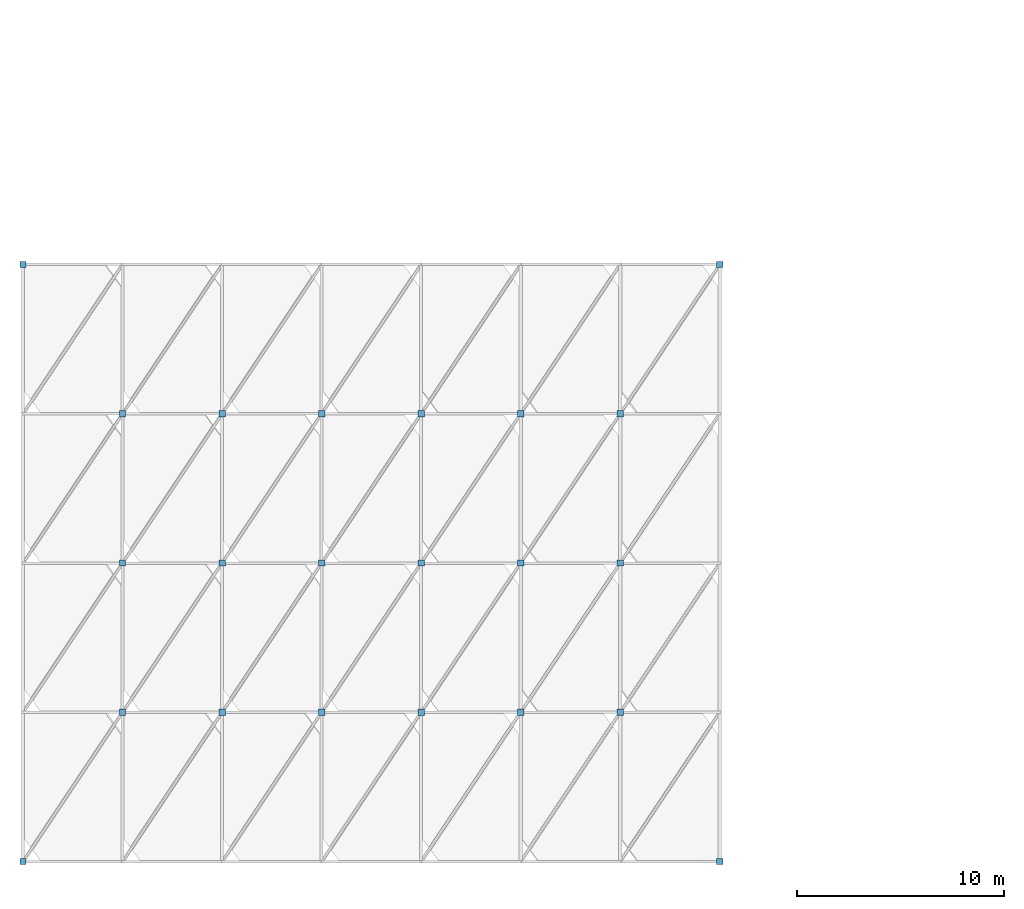
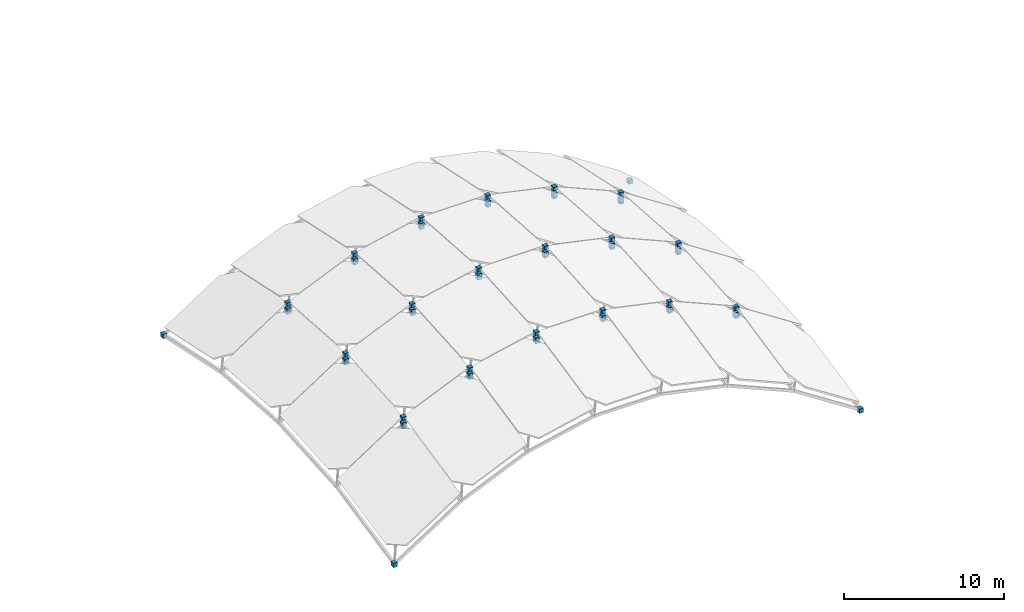
# One storey, part 8 of 9: 58 plates.
"""IFC4 building model written with IfcOpenShell, lengths in metres."""

from ifc_helpers import new_model, si_unit, direction, frame, origin, origin_2d, place, context, subcontext, project, spatial, rectangle, extrude, material, layer, layer_set, type_object, element, save


model = new_model("IFC4")

# Units and contexts
model_context = context("Model", 3, precision=1e-05, world=origin(), true_north=direction((0.0, 1.0)))
body_context = subcontext(model_context, "Body", "Model", "MODEL_VIEW")
ifc_project = project(units=[si_unit("LENGTHUNIT", "METRE"), si_unit("AREAUNIT", "SQUARE_METRE"), si_unit("VOLUMEUNIT", "CUBIC_METRE"), si_unit("PLANEANGLEUNIT", "RADIAN"), si_unit("MASSUNIT", "GRAM", prefix="KILO")], contexts=[model_context])

# Site, building, storey
site_placement = place(None, origin())
site = spatial("IfcSite", under=ifc_project, at=site_placement, CompositionType="ELEMENT")
building_placement = place(site_placement, origin())
building = spatial("IfcBuilding", under=site, at=building_placement, Name="Kahlenmark Community Centre", CompositionType="ELEMENT")
storey_placement = place(building_placement, frame((0.0, 0.0, 25.199951171875)))
storey = spatial("IfcBuildingStorey", under=building, at=storey_placement, Name="RF", CompositionType="ELEMENT", Elevation=25.199951171875)

# Plates
ifc_material = material(Name="Steel S355", Category="steel")
ifc_layer_1 = layer(ifc_material, 0.02392578125)
ifc_layer_set_1 = layer_set([ifc_layer_1], Name="Steel S355")
plate_type_1 = type_object("IfcPlateType", Name="PT-NODE-GN-01-30X30X33", PredefinedType="USERDEFINED", material=ifc_layer_set_1)
for number, where, z_axis, x_axis, name in (
    (1, (12.39990234375, 8.800048828125, -7.364990234375), (0.0, 0.0, 1.0), (1.0, 0.0, 0.0), "Steel hollow-node cap plate 0037"),
    (2, (12.39990234375, 37.60009765625, -7.364990234375), (0.0, 0.0, 1.0), (1.0, 0.0, 0.0), "Steel hollow-node cap plate 0038"),
    (3, (17.199951171875, 16.0, -2.71435546875), (0.0, 0.0, 1.0), (1.0, 0.0, 0.0), "Steel hollow-node cap plate 0039"),
    (4, (17.199951171875, 23.199951171875, -2.21337890625), (0.0, 0.0, 1.0), (1.0, 0.0, 0.0), "Steel hollow-node cap plate 0040"),
    (5, (17.199951171875, 30.39990234375, -2.71435546875), (0.0, 0.0, 1.0), (1.0, 0.0, 0.0), "Steel hollow-node cap plate 0041"),
    (6, (22.0, 16.0, -0.635498046875), (0.0, 0.0, 1.0), (1.0, 0.0, 0.0), "Steel hollow-node cap plate 0042"),
    (7, (22.0, 23.199951171875, -0.134765625), (0.0, 0.0, 1.0), (1.0, 0.0, 0.0), "Steel hollow-node cap plate 0043"),
    (8, (22.0, 30.39990234375, -0.635498046875), (0.0, 0.0, 1.0), (1.0, 0.0, 0.0), "Steel hollow-node cap plate 0044"),
    (9, (26.800048828125, 16.0, 0.40380859375), (0.0, 0.0, 1.0), (1.0, 0.0, 0.0), "Steel hollow-node cap plate 0045"),
    (10, (26.800048828125, 23.199951171875, 0.904541015625), (0.0, 0.0, 1.0), (1.0, 0.0, 0.0), "Steel hollow-node cap plate 0046"),
    (11, (26.800048828125, 30.39990234375, 0.40380859375), (0.0, 0.0, 1.0), (1.0, 0.0, 0.0), "Steel hollow-node cap plate 0047"),
    (12, (31.60009765625, 16.0, 0.40380859375), (0.0, 0.0, 1.0), (1.0, 0.0, 0.0), "Steel hollow-node cap plate 0048"),
    (13, (31.60009765625, 23.199951171875, 0.904541015625), (0.0, 0.0, 1.0), (1.0, 0.0, 0.0), "Steel hollow-node cap plate 0049"),
    (14, (31.60009765625, 30.39990234375, 0.40380859375), (0.0, 0.0, 1.0), (1.0, 0.0, 0.0), "Steel hollow-node cap plate 0050"),
    (15, (36.39990234375, 16.0, -0.635498046875), (0.0, 0.0, 1.0), (1.0, 0.0, 0.0), "Steel hollow-node cap plate 0051"),
    (16, (36.39990234375, 23.199951171875, -0.134765625), (0.0, 0.0, 1.0), (1.0, 0.0, 0.0), "Steel hollow-node cap plate 0052"),
    (17, (36.39990234375, 30.39990234375, -0.635498046875), (0.0, 0.0, 1.0), (1.0, 0.0, 0.0), "Steel hollow-node cap plate 0053"),
    (18, (41.199951171875, 16.0, -2.71435546875), (0.0, 0.0, 1.0), (1.0, 0.0, 0.0), "Steel hollow-node cap plate 0054"),
    (19, (41.199951171875, 23.199951171875, -2.21337890625), (0.0, 0.0, 1.0), (1.0, 0.0, 0.0), "Steel hollow-node cap plate 0055"),
    (20, (41.199951171875, 30.39990234375, -2.71435546875), (0.0, 0.0, 1.0), (1.0, 0.0, 0.0), "Steel hollow-node cap plate 0056"),
    (21, (46.0, 8.800048828125, -7.364990234375), (0.0, 0.0, 1.0), (1.0, 0.0, 0.0), "Steel hollow-node cap plate 0057"),
    (22, (46.0, 37.60009765625, -7.364990234375), (0.0, 0.0, 1.0), (1.0, 0.0, 0.0), "Steel hollow-node cap plate 0058"),
):
    element("IfcPlate", number, at=place(storey_placement, frame(where, z_axis=z_axis, x_axis=x_axis)), inside=storey, type_object=plate_type_1, Name=name, ObjectType="STIFFENER_PLATE", PredefinedType="USERDEFINED", context=body_context, shape_type="SweptSolid", body=[
        extrude(rectangle(XDim=0.300048828125, YDim=0.300048828125, at=origin_2d()), origin(), (0.0, 0.0, 1.0), 0.330078125),
    ])
ifc_layer_2 = layer(ifc_material, 0.02392578125)
ifc_layer_set_2 = layer_set([ifc_layer_2], Name="Steel S355")
plate_type_2 = type_object("IfcPlateType", Name="PT-NODE-GN-04-30X30X28", PredefinedType="USERDEFINED", material=ifc_layer_set_2)
for number, where, z_axis, x_axis, name in (
    (23, (17.199951171875, 16.0, -2.83935546875), (0.0, 0.0, 1.0), (1.0, 0.0, 0.0), "Steel hollow-node cap plate 0059"),
    (24, (17.199951171875, 16.0, -2.2294921875), (0.0, 0.0, 1.0), (1.0, 0.0, 0.0), "Steel hollow-node cap plate 0060"),
    (25, (17.199951171875, 23.199951171875, -2.33837890625), (0.0, 0.0, 1.0), (1.0, 0.0, 0.0), "Steel hollow-node cap plate 0061"),
    (26, (17.199951171875, 23.199951171875, -1.728515625), (0.0, 0.0, 1.0), (1.0, 0.0, 0.0), "Steel hollow-node cap plate 0062"),
    (27, (17.199951171875, 30.39990234375, -2.83935546875), (0.0, 0.0, 1.0), (1.0, 0.0, 0.0), "Steel hollow-node cap plate 0063"),
    (28, (17.199951171875, 30.39990234375, -2.2294921875), (0.0, 0.0, 1.0), (1.0, 0.0, 0.0), "Steel hollow-node cap plate 0064"),
    (29, (22.0, 16.0, -0.7607421875), (0.0, 0.0, 1.0), (1.0, 0.0, 0.0), "Steel hollow-node cap plate 0065"),
    (30, (22.0, 16.0, -0.150390625), (0.0, 0.0, 1.0), (1.0, 0.0, 0.0), "Steel hollow-node cap plate 0066"),
    (31, (22.0, 23.199951171875, -0.259765625), (0.0, 0.0, 1.0), (1.0, 0.0, 0.0), "Steel hollow-node cap plate 0067"),
    (32, (22.0, 23.199951171875, 0.35009765625), (0.0, 0.0, 1.0), (1.0, 0.0, 0.0), "Steel hollow-node cap plate 0068"),
    (33, (22.0, 30.39990234375, -0.7607421875), (0.0, 0.0, 1.0), (1.0, 0.0, 0.0), "Steel hollow-node cap plate 0069"),
    (34, (22.0, 30.39990234375, -0.150390625), (0.0, 0.0, 1.0), (1.0, 0.0, 0.0), "Steel hollow-node cap plate 0070"),
    (35, (26.800048828125, 16.0, 0.27880859375), (0.0, 0.0, 1.0), (1.0, 0.0, 0.0), "Steel hollow-node cap plate 0071"),
    (36, (26.800048828125, 16.0, 0.888671875), (0.0, 0.0, 1.0), (1.0, 0.0, 0.0), "Steel hollow-node cap plate 0072"),
    (37, (26.800048828125, 23.199951171875, 0.77978515625), (0.0, 0.0, 1.0), (1.0, 0.0, 0.0), "Steel hollow-node cap plate 0073"),
    (38, (26.800048828125, 23.199951171875, 1.3896484375), (0.0, 0.0, 1.0), (1.0, 0.0, 0.0), "Steel hollow-node cap plate 0074"),
    (39, (26.800048828125, 30.39990234375, 0.27880859375), (0.0, 0.0, 1.0), (1.0, 0.0, 0.0), "Steel hollow-node cap plate 0075"),
    (40, (26.800048828125, 30.39990234375, 0.888671875), (0.0, 0.0, 1.0), (1.0, 0.0, 0.0), "Steel hollow-node cap plate 0076"),
    (41, (31.60009765625, 16.0, 0.27880859375), (0.0, 0.0, 1.0), (1.0, 0.0, 0.0), "Steel hollow-node cap plate 0077"),
    (42, (31.60009765625, 16.0, 0.888671875), (0.0, 0.0, 1.0), (1.0, 0.0, 0.0), "Steel hollow-node cap plate 0078"),
    (43, (31.60009765625, 23.199951171875, 0.77978515625), (0.0, 0.0, 1.0), (1.0, 0.0, 0.0), "Steel hollow-node cap plate 0079"),
    (44, (31.60009765625, 23.199951171875, 1.3896484375), (0.0, 0.0, 1.0), (1.0, 0.0, 0.0), "Steel hollow-node cap plate 0080"),
    (45, (31.60009765625, 30.39990234375, 0.27880859375), (0.0, 0.0, 1.0), (1.0, 0.0, 0.0), "Steel hollow-node cap plate 0081"),
    (46, (31.60009765625, 30.39990234375, 0.888671875), (0.0, 0.0, 1.0), (1.0, 0.0, 0.0), "Steel hollow-node cap plate 0082"),
    (47, (36.39990234375, 16.0, -0.7607421875), (0.0, 0.0, 1.0), (1.0, 0.0, 0.0), "Steel hollow-node cap plate 0083"),
    (48, (36.39990234375, 16.0, -0.150390625), (0.0, 0.0, 1.0), (1.0, 0.0, 0.0), "Steel hollow-node cap plate 0084"),
    (49, (36.39990234375, 23.199951171875, -0.259765625), (0.0, 0.0, 1.0), (1.0, 0.0, 0.0), "Steel hollow-node cap plate 0085"),
    (50, (36.39990234375, 23.199951171875, 0.35009765625), (0.0, 0.0, 1.0), (1.0, 0.0, 0.0), "Steel hollow-node cap plate 0086"),
    (51, (36.39990234375, 30.39990234375, -0.7607421875), (0.0, 0.0, 1.0), (1.0, 0.0, 0.0), "Steel hollow-node cap plate 0087"),
    (52, (36.39990234375, 30.39990234375, -0.150390625), (0.0, 0.0, 1.0), (1.0, 0.0, 0.0), "Steel hollow-node cap plate 0088"),
    (53, (41.199951171875, 16.0, -2.83935546875), (0.0, 0.0, 1.0), (1.0, 0.0, 0.0), "Steel hollow-node cap plate 0089"),
    (54, (41.199951171875, 16.0, -2.2294921875), (0.0, 0.0, 1.0), (1.0, 0.0, 0.0), "Steel hollow-node cap plate 0090"),
    (55, (41.199951171875, 23.199951171875, -2.33837890625), (0.0, 0.0, 1.0), (1.0, 0.0, 0.0), "Steel hollow-node cap plate 0091"),
    (56, (41.199951171875, 23.199951171875, -1.728515625), (0.0, 0.0, 1.0), (1.0, 0.0, 0.0), "Steel hollow-node cap plate 0092"),
    (57, (41.199951171875, 30.39990234375, -2.83935546875), (0.0, 0.0, 1.0), (1.0, 0.0, 0.0), "Steel hollow-node cap plate 0093"),
    (58, (41.199951171875, 30.39990234375, -2.2294921875), (0.0, 0.0, 1.0), (1.0, 0.0, 0.0), "Steel hollow-node cap plate 0094"),
):
    element("IfcPlate", number, at=place(storey_placement, frame(where, z_axis=z_axis, x_axis=x_axis)), inside=storey, type_object=plate_type_2, Name=name, ObjectType="STIFFENER_PLATE", PredefinedType="USERDEFINED", context=body_context, shape_type="SweptSolid", body=[
        extrude(rectangle(XDim=0.300048828125, YDim=0.300048828125, at=origin_2d()), origin(), (0.0, 0.0, 1.0), 0.280029296875),
    ])

save(model, "model.ifc")
